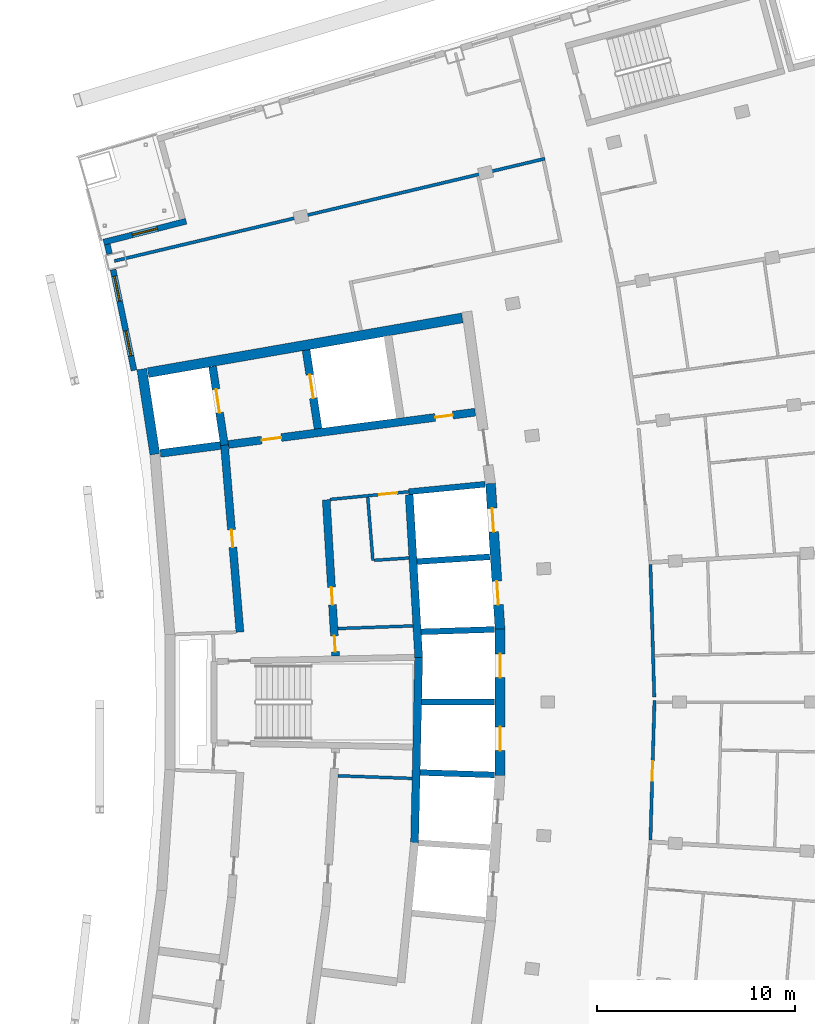
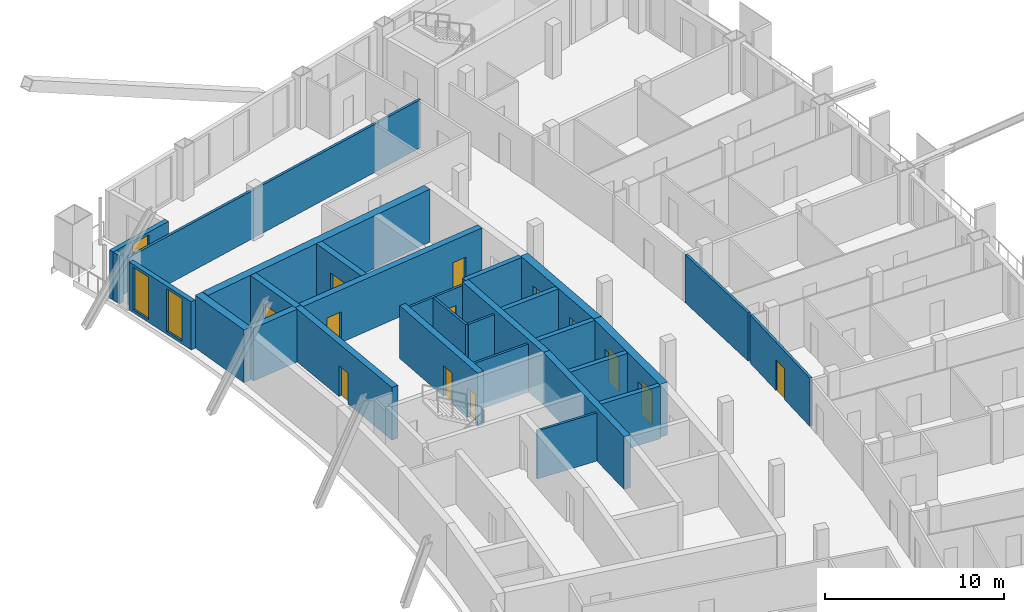
# One storey, part 10 of 17: 28 walls, 13 doors, 3 windows, 16 openings.
"""IFC4 building model written with IfcOpenShell, lengths in metres."""

from ifc_helpers import new_model, si_unit, direction, frame, frame_2d, origin, place, context, subcontext, project, spatial, rectangle, extrude, material, layer, layer_set, type_object, element, fill, save


model = new_model("IFC4")

# Units and contexts
model_context = context("Model", 3, precision=1e-05, world=origin(), true_north=direction((0.0, 1.0)))
body_context = subcontext(model_context, "Body", "Model", "MODEL_VIEW")
ifc_project = project(units=[si_unit("LENGTHUNIT", "METRE"), si_unit("AREAUNIT", "SQUARE_METRE"), si_unit("VOLUMEUNIT", "CUBIC_METRE"), si_unit("PLANEANGLEUNIT", "RADIAN"), si_unit("MASSUNIT", "GRAM", prefix="KILO")], contexts=[model_context])

# Site, building, storey
site_placement = place(None, origin())
site = spatial("IfcSite", under=ifc_project, at=site_placement, CompositionType="ELEMENT")
building_placement = place(site_placement, origin())
building = spatial("IfcBuilding", under=site, at=building_placement, Name="Alderwake Tower", CompositionType="ELEMENT")
storey_placement = place(building_placement, frame((0.0, 0.0, 278.0)))
storey = spatial("IfcBuildingStorey", under=building, at=storey_placement, Name="L69", CompositionType="ELEMENT", Elevation=278.0)

# Walls
ifc_material_1 = material(Name="Gypsum shaft wall system, rated")
ifc_layer_1 = layer(ifc_material_1, 0.14990234375)
ifc_layer_set_1 = layer_set([ifc_layer_1], Name="Core riser partition 150")
wall_type_1 = type_object("IfcWallType", Name="Core riser partition 150", PredefinedType="PARTITIONING", material=ifc_layer_set_1)
wall_1_placement = place(storey_placement, frame((25.1904296875, 57.276611328125, 0.0), z_axis=(0.0, 0.0, 1.0), x_axis=(0.99937350076, -0.035392173974, 0.0)))
element("IfcWall", 1, at=wall_1_placement, inside=storey, type_object=wall_type_1, Name="CW/L69/PR-37_+86", PredefinedType="PARTITIONING", context=body_context, shape_type="SweptSolid", body=[
    extrude(rectangle(XDim=3.752685546875, YDim=0.14990234375, at=frame_2d((1.87646484375, 0.0))), origin(), (0.0, 0.0, 1.0), 3.280029296875),
])
wall_2_placement = place(storey_placement, frame((25.191162109375, 64.723388671875, 0.0), z_axis=(0.0, 0.0, 1.0), x_axis=(0.999373627871, 0.035388584556, 0.0)))
element("IfcWall", 2, at=wall_2_placement, inside=storey, type_object=wall_type_1, Name="CW/L69/PR+37_+86", PredefinedType="PARTITIONING", context=body_context, shape_type="SweptSolid", body=[
    extrude(rectangle(XDim=3.79443359375, YDim=0.14990234375, at=frame_2d((1.897216796875, 0.0))), origin(), (0.0, 0.0, 1.0), 3.280029296875),
])
ifc_material_2 = material(Name="Gypsum shaft wall system, rated")
ifc_layer_2 = layer(ifc_material_2, 0.14990234375)
ifc_layer_set_2 = layer_set([ifc_layer_2], Name="Core room partition 150")
wall_type_2 = type_object("IfcWallType", Name="Core room partition 150", PredefinedType="PARTITIONING", material=ifc_layer_set_2)
wall_3_placement = place(storey_placement, frame((26.9599609375, 68.170654296875, 0.0), z_axis=(0.0, 0.0, 1.0), x_axis=(-0.081803626558, 0.996648466954, 0.0)))
element("IfcWall", 3, at=wall_3_placement, inside=storey, type_object=wall_type_2, Name="CW/L69/PA+107_+70", PredefinedType="PARTITIONING", context=body_context, shape_type="SweptSolid", body=[
    extrude(rectangle(XDim=3.205322265625, YDim=0.14990234375, at=frame_2d((1.6025390625, 0.0))), origin(), (0.0, 0.0, 1.0), 3.280029296875),
])
wall_4_placement = place(storey_placement, frame((27.034912109375, 68.175537109375, 0.0), z_axis=(0.0, 0.0, 1.0), x_axis=(0.997757929195, 0.066926188655, 0.0)))
element("IfcWall", 4, at=wall_4_placement, inside=storey, type_object=wall_type_2, Name="CW/L69/PR+70_+107", PredefinedType="PARTITIONING", context=body_context, shape_type="SweptSolid", body=[
    extrude(rectangle(XDim=1.7509765625, YDim=0.14990234375, at=frame_2d((0.87548828125, 0.0))), origin(), (0.0, 0.0, 1.0), 3.280029296875),
])

# Wall, opening, door
wall_5_placement = place(storey_placement, frame((28.780517578125, 71.644287109375, 0.0), z_axis=(0.0, 0.0, 1.0), x_axis=(-0.995250000627, -0.097352125046, 0.0)))
wall_5 = element("IfcWall", 5, at=wall_5_placement, inside=storey, type_object=wall_type_2, Name="CW/L69/PR+102_+86", PredefinedType="PARTITIONING", context=body_context, shape_type="SweptSolid", body=[
    extrude(rectangle(XDim=4.0, YDim=0.14990234375, at=frame_2d((2.0, 0.0))), origin(), (0.0, 0.0, 1.0), 3.280029296875),
])
opening_1_placement = place(wall_5_placement, frame((0.60009765625, 0.0, 0.0)))
opening_1 = element("IfcOpeningElement", 6, at=opening_1_placement, cuts=wall_5, Name="Opening C022", PredefinedType="OPENING", context=body_context, shape_type="SweptSolid", body=[
    extrude(rectangle(XDim=0.89990234375, YDim=2.10009765625, at=frame_2d((0.449951171875, 1.050048828125))), frame((0.0, 0.0849609375, 0.0), z_axis=(0.0, -1.0, 0.0), x_axis=(1.0, 0.0, 0.0)), (0.0, 0.0, 1.0), 0.169921875),
])
ifc_material_3 = material(Name="Painted steel leaf", Category="steel")
door_type_1 = type_object("IfcDoorType", Name="Core room door 900", OperationType="SINGLE_SWING_LEFT", PredefinedType="DOOR", material=ifc_material_3)
door_1_placement = place(opening_1_placement, origin())
door_1 = element("IfcDoor", 7, at=door_1_placement, inside=storey, type_object=door_type_1, Name="Room door", OperationType="SINGLE_SWING_LEFT", OverallHeight=2.10009765625, OverallWidth=0.89990234375, PredefinedType="DOOR", context=body_context, shape_type="SweptSolid", body=[
    extrude(rectangle(XDim=0.89990234375, YDim=2.10009765625, at=frame_2d((0.449951171875, 1.050048828125))), frame((0.0, 0.02490234375, 0.0), z_axis=(0.0, -1.0, 0.0), x_axis=(1.0, 0.0, 0.0)), (0.0, 0.0, 1.0), 0.050048828125),
])
fill(opening_1, door_1)

# Wall
ifc_material_4 = material(Name="Concrete C70/85", Category="concrete")
ifc_layer_3 = layer(ifc_material_4, 0.5)
ifc_layer_set_3 = layer_set([ifc_layer_3], Name="Core wall outer 500 C70-85")
wall_type_3 = type_object("IfcWallType", Name="Core wall outer 500 C70-85", PredefinedType="SHEAR", material=ifc_layer_set_3)
wall_6_placement = place(storey_placement, frame((15.934326171875, 73.5380859375, 0.0), z_axis=(0.0, 0.0, 1.0), x_axis=(-0.151947718368, 0.988388532351, 0.0)))
element("IfcWall", 8, at=wall_6_placement, inside=storey, type_object=wall_type_3, Name="Core wall CW.025", PredefinedType="SHEAR", context=body_context, shape_type="SweptSolid", body=[
    extrude(rectangle(XDim=4.357421875, YDim=0.5, at=frame_2d((2.1787109375, 0.0))), origin(), (0.0, 0.0, 1.0), 3.60009765625),
])

# Wall, openings, doors
wall_7_placement = place(storey_placement, frame((33.389892578125, 57.30322265625, 0.0), z_axis=(0.0, 0.0, 1.0), x_axis=(0.0, 1.0, 0.0)))
wall_7 = element("IfcWall", 9, at=wall_7_placement, inside=storey, type_object=wall_type_3, Name="Core wall CW.023", PredefinedType="SHEAR", context=body_context, shape_type="SweptSolid", body=[
    extrude(rectangle(XDim=7.3935546875, YDim=0.5, at=frame_2d((3.69677734375, 0.0))), origin(), (0.0, 0.0, 1.0), 3.60009765625),
])
opening_2_placement = place(wall_7_placement, frame((1.25244140625, 0.0, 0.0)))
opening_2 = element("IfcOpeningElement", 10, at=opening_2_placement, cuts=wall_7, Name="Opening LD-HP3", PredefinedType="OPENING", context=body_context, shape_type="SweptSolid", body=[
    extrude(rectangle(XDim=1.199951171875, YDim=2.300048828125, at=frame_2d((0.60009765625, 1.14990234375))), frame((0.0, 0.260009765625, 0.0), z_axis=(0.0, -1.0, 0.0), x_axis=(1.0, 0.0, 0.0)), (0.0, 0.0, 1.0), 0.52001953125),
])
opening_3_placement = place(wall_7_placement, frame((4.94091796875, 0.0, 0.0)))
opening_3 = element("IfcOpeningElement", 11, at=opening_3_placement, cuts=wall_7, Name="Opening LD-HP4", PredefinedType="OPENING", context=body_context, shape_type="SweptSolid", body=[
    extrude(rectangle(XDim=1.199951171875, YDim=2.300048828125, at=frame_2d((0.60009765625, 1.14990234375))), frame((0.0, 0.260009765625, 0.0), z_axis=(0.0, -1.0, 0.0), x_axis=(1.0, 0.0, 0.0)), (0.0, 0.0, 1.0), 0.52001953125),
])
ifc_material_5 = material(Name="Stainless steel sliding leaf", Category="steel")
door_type_2 = type_object("IfcDoorType", Name="Lift landing door 1200", OperationType="SLIDING_TO_LEFT", PredefinedType="DOOR", material=ifc_material_5)
door_2_placement = place(opening_2_placement, origin())
door_2 = element("IfcDoor", 12, at=door_2_placement, inside=storey, type_object=door_type_2, Name="Lift landing door HP3", OperationType="SLIDING_TO_LEFT", OverallHeight=2.300048828125, OverallWidth=1.199951171875, PredefinedType="DOOR", context=body_context, shape_type="SweptSolid", body=[
    extrude(rectangle(XDim=1.199951171875, YDim=2.300048828125, at=frame_2d((0.60009765625, 1.14990234375))), frame((0.0, 0.02490234375, 0.0), z_axis=(0.0, -1.0, 0.0), x_axis=(1.0, 0.0, 0.0)), (0.0, 0.0, 1.0), 0.050048828125),
])
fill(opening_2, door_2)
door_3_placement = place(opening_3_placement, origin())
door_3 = element("IfcDoor", 13, at=door_3_placement, inside=storey, type_object=door_type_2, Name="Lift landing door HP4", OperationType="SLIDING_TO_LEFT", OverallHeight=2.300048828125, OverallWidth=1.199951171875, PredefinedType="DOOR", context=body_context, shape_type="SweptSolid", body=[
    extrude(rectangle(XDim=1.199951171875, YDim=2.300048828125, at=frame_2d((0.60009765625, 1.14990234375))), frame((0.0, 0.02490234375, 0.0), z_axis=(0.0, -1.0, 0.0), x_axis=(1.0, 0.0, 0.0)), (0.0, 0.0, 1.0), 0.050048828125),
])
fill(opening_3, door_3)

wall_8_placement = place(storey_placement, frame((33.390625, 64.679443359375, 0.0), z_axis=(0.0, 0.0, 1.0), x_axis=(-0.064980500916, 0.997886533881, 0.0)))
wall_8 = element("IfcWall", 14, at=wall_8_placement, inside=storey, type_object=wall_type_3, Name="Core wall CW.020", PredefinedType="SHEAR", context=body_context, shape_type="SweptSolid", body=[
    extrude(rectangle(XDim=7.39404296875, YDim=0.5, at=frame_2d((3.697021484375, 0.0))), origin(), (0.0, 0.0, 1.0), 3.60009765625),
])
opening_4_placement = place(wall_8_placement, frame((1.25244140625, 0.0, 0.0)))
opening_4 = element("IfcOpeningElement", 15, at=opening_4_placement, cuts=wall_8, Name="Opening LD-HP5", PredefinedType="OPENING", context=body_context, shape_type="SweptSolid", body=[
    extrude(rectangle(XDim=1.199951171875, YDim=2.300048828125, at=frame_2d((0.60009765625, 1.14990234375))), frame((0.0, 0.260009765625, 0.0), z_axis=(0.0, -1.0, 0.0), x_axis=(1.0, 0.0, 0.0)), (0.0, 0.0, 1.0), 0.52001953125),
])
opening_5_placement = place(wall_8_placement, frame((4.94091796875, 0.0, 0.0)))
opening_5 = element("IfcOpeningElement", 16, at=opening_5_placement, cuts=wall_8, Name="Opening LD-HP6", PredefinedType="OPENING", context=body_context, shape_type="SweptSolid", body=[
    extrude(rectangle(XDim=1.199951171875, YDim=2.300048828125, at=frame_2d((0.60009765625, 1.14990234375))), frame((0.0, 0.260009765625, 0.0), z_axis=(0.0, -1.0, 0.0), x_axis=(1.0, 0.0, 0.0)), (0.0, 0.0, 1.0), 0.52001953125),
])
door_4_placement = place(opening_4_placement, origin())
door_4 = element("IfcDoor", 17, at=door_4_placement, inside=storey, type_object=door_type_2, Name="Lift landing door HP5", OperationType="SLIDING_TO_LEFT", OverallHeight=2.300048828125, OverallWidth=1.199951171875, PredefinedType="DOOR", context=body_context, shape_type="SweptSolid", body=[
    extrude(rectangle(XDim=1.199951171875, YDim=2.300048828125, at=frame_2d((0.60009765625, 1.14990234375))), frame((0.0, 0.02490234375, 0.0), z_axis=(0.0, -1.0, 0.0), x_axis=(1.0, 0.0, 0.0)), (0.0, 0.0, 1.0), 0.050048828125),
])
fill(opening_4, door_4)
door_5_placement = place(opening_5_placement, origin())
door_5 = element("IfcDoor", 18, at=door_5_placement, inside=storey, type_object=door_type_2, Name="Lift landing door HP6", OperationType="SLIDING_TO_LEFT", OverallHeight=2.300048828125, OverallWidth=1.199951171875, PredefinedType="DOOR", context=body_context, shape_type="SweptSolid", body=[
    extrude(rectangle(XDim=1.199951171875, YDim=2.300048828125, at=frame_2d((0.60009765625, 1.14990234375))), frame((0.0, 0.02490234375, 0.0), z_axis=(0.0, -1.0, 0.0), x_axis=(1.0, 0.0, 0.0)), (0.0, 0.0, 1.0), 0.050048828125),
])
fill(opening_5, door_5)

# Walls
wall_9_placement = place(storey_placement, frame((15.583251953125, 77.664306640625, 0.0), z_axis=(0.0, 0.0, 1.0), x_axis=(0.985139146221, 0.171758151429, 0.0)))
element("IfcWall", 19, at=wall_9_placement, inside=storey, type_object=wall_type_3, Name="Core wall CW.055", PredefinedType="SHEAR", context=body_context, shape_type="SweptSolid", body=[
    extrude(rectangle(XDim=16.134521484375, YDim=0.5, at=frame_2d((8.0673828125, 0.0))), origin(), (0.0, 0.0, 1.0), 3.60009765625),
])
ifc_material_6 = material(Name="Concrete C70/85", Category="concrete")
ifc_layer_4 = layer(ifc_material_6, 0.300048828125)
ifc_layer_set_4 = layer_set([ifc_layer_4], Name="Core wall shaft 300 C70-85")
wall_type_4 = type_object("IfcWallType", Name="Core wall shaft 300 C70-85", PredefinedType="SHEAR", material=ifc_layer_set_4)
wall_10_placement = place(storey_placement, frame((29.347412109375, 57.443603515625, 0.0), z_axis=(0.0, 0.0, 1.0), x_axis=(0.99946995342, -0.032554757112, 0.0)))
element("IfcWall", 20, at=wall_10_placement, inside=storey, type_object=wall_type_4, Name="Core wall CW.075", PredefinedType="SHEAR", context=body_context, shape_type="SweptSolid", body=[
    extrude(rectangle(XDim=3.7646484375, YDim=0.300048828125, at=frame_2d((1.88232421875, 0.0))), origin(), (0.0, 0.0, 1.0), 3.60009765625),
])
wall_11_placement = place(storey_placement, frame((29.426025390625, 61.0, 0.0), z_axis=(0.0, 0.0, 1.0), x_axis=(1.0, 0.0, 0.0)))
element("IfcWall", 21, at=wall_11_placement, inside=storey, type_object=wall_type_4, Name="Core wall CW.048", PredefinedType="SHEAR", context=body_context, shape_type="SweptSolid", body=[
    extrude(rectangle(XDim=3.68408203125, YDim=0.300048828125, at=frame_2d((1.842041015625, 0.0))), origin(), (0.0, 0.0, 1.0), 3.60009765625),
])
wall_12_placement = place(storey_placement, frame((29.401611328125, 64.558349609375, 0.0), z_axis=(0.0, 0.0, 1.0), x_axis=(0.99947159852, 0.032504211301, 0.0)))
element("IfcWall", 22, at=wall_12_placement, inside=storey, type_object=wall_type_4, Name="Core wall CW.058", PredefinedType="SHEAR", context=body_context, shape_type="SweptSolid", body=[
    extrude(rectangle(XDim=3.71044921875, YDim=0.300048828125, at=frame_2d((1.855224609375, 0.0))), origin(), (0.0, 0.0, 1.0), 3.60009765625),
])
wall_13_placement = place(storey_placement, frame((29.193603515625, 68.110595703125, 0.0), z_axis=(0.0, 0.0, 1.0), x_axis=(0.997885994006, 0.064988791085, 0.0)))
element("IfcWall", 23, at=wall_13_placement, inside=storey, type_object=wall_type_4, Name="Core wall CW.061", PredefinedType="SHEAR", context=body_context, shape_type="SweptSolid", body=[
    extrude(rectangle(XDim=3.685302734375, YDim=0.300048828125, at=frame_2d((1.8427734375, 0.0))), origin(), (0.0, 0.0, 1.0), 3.60009765625),
])
wall_14_placement = place(storey_placement, frame((28.780517578125, 71.644287109375, 0.0), z_axis=(0.0, 0.0, 1.0), x_axis=(0.995244248631, 0.097410910928, 0.0)))
element("IfcWall", 24, at=wall_14_placement, inside=storey, type_object=wall_type_4, Name="Core wall CW.049", PredefinedType="SHEAR", context=body_context, shape_type="SweptSolid", body=[
    extrude(rectangle(XDim=3.86962890625, YDim=0.300048828125, at=frame_2d((1.934814453125, 0.0))), origin(), (0.0, 0.0, 1.0), 3.60009765625),
])

# Wall, opening, door
ifc_material_7 = material(Name="Concrete C70/85", Category="concrete")
ifc_layer_5 = layer(ifc_material_7, 0.39990234375)
ifc_layer_set_5 = layer_set([ifc_layer_5], Name="Core wall spine 400 C70-85")
wall_type_5 = type_object("IfcWallType", Name="Core wall spine 400 C70-85", PredefinedType="SHEAR", material=ifc_layer_set_5)
wall_15_placement = place(storey_placement, frame((19.452392578125, 74.014892578125, 0.0), z_axis=(0.0, 0.0, 1.0), x_axis=(0.082628585297, -0.996580411654, 0.0)))
wall_15 = element("IfcWall", 25, at=wall_15_placement, inside=storey, type_object=wall_type_5, Name="Core wall CW.031", PredefinedType="SHEAR", context=body_context, shape_type="SweptSolid", body=[
    extrude(rectangle(XDim=9.499267578125, YDim=0.39990234375, at=frame_2d((4.74951171875, 0.0))), origin(), (0.0, 0.0, 1.0), 3.60009765625),
])
opening_6_placement = place(wall_15_placement, frame((4.30322265625, 0.0, 0.0)))
opening_6 = element("IfcOpeningElement", 26, at=opening_6_placement, cuts=wall_15, Name="Opening C051", PredefinedType="OPENING", context=body_context, shape_type="SweptSolid", body=[
    extrude(rectangle(XDim=0.89990234375, YDim=2.10009765625, at=frame_2d((0.449951171875, 1.050048828125))), frame((0.0, 0.2099609375, 0.0), z_axis=(0.0, -1.0, 0.0), x_axis=(1.0, 0.0, 0.0)), (0.0, 0.0, 1.0), 0.419921875),
])
door_6_placement = place(opening_6_placement, origin())
door_6 = element("IfcDoor", 27, at=door_6_placement, inside=storey, type_object=door_type_1, Name="Room door", OperationType="SINGLE_SWING_RIGHT", OverallHeight=2.10009765625, OverallWidth=0.89990234375, PredefinedType="DOOR", context=body_context, shape_type="SweptSolid", body=[
    extrude(rectangle(XDim=0.89990234375, YDim=2.10009765625, at=frame_2d((0.449951171875, 1.050048828125))), frame((0.0, 0.02490234375, 0.0), z_axis=(0.0, -1.0, 0.0), x_axis=(1.0, 0.0, 0.0)), (0.0, 0.0, 1.0), 0.050048828125),
])
fill(opening_6, door_6)

wall_16_placement = place(storey_placement, frame((19.4541015625, 74.00048828125, 0.0), z_axis=(0.0, 0.0, 1.0), x_axis=(-0.149461330246, 0.988767571657, 0.0)))
wall_16 = element("IfcWall", 28, at=wall_16_placement, inside=storey, type_object=wall_type_5, Name="Core wall CW.030", PredefinedType="SHEAR", context=body_context, shape_type="SweptSolid", body=[
    extrude(rectangle(XDim=4.01513671875, YDim=0.39990234375, at=frame_2d((2.007568359375, 0.0))), origin(), (0.0, 0.0, 1.0), 3.60009765625),
])
opening_7_placement = place(wall_16_placement, frame((1.6611328125, 0.0, 0.0)))
opening_7 = element("IfcOpeningElement", 29, at=opening_7_placement, cuts=wall_16, Name="Opening LD-FF1", PredefinedType="OPENING", context=body_context, shape_type="SweptSolid", body=[
    extrude(rectangle(XDim=1.199951171875, YDim=2.300048828125, at=frame_2d((0.60009765625, 1.14990234375))), frame((0.0, 0.2099609375, 0.0), z_axis=(0.0, -1.0, 0.0), x_axis=(1.0, 0.0, 0.0)), (0.0, 0.0, 1.0), 0.419921875),
])
door_7_placement = place(opening_7_placement, origin())
door_7 = element("IfcDoor", 30, at=door_7_placement, inside=storey, type_object=door_type_2, Name="Lift landing door FF1", OperationType="SLIDING_TO_LEFT", OverallHeight=2.300048828125, OverallWidth=1.199951171875, PredefinedType="DOOR", context=body_context, shape_type="SweptSolid", body=[
    extrude(rectangle(XDim=1.199951171875, YDim=2.300048828125, at=frame_2d((0.60009765625, 1.14990234375))), frame((0.0, 0.02490234375, 0.0), z_axis=(0.0, -1.0, 0.0), x_axis=(1.0, 0.0, 0.0)), (0.0, 0.0, 1.0), 0.050048828125),
])
fill(opening_7, door_7)

# Wall, openings, doors
wall_17_placement = place(storey_placement, frame((25.073974609375, 63.335693359375, 0.0), z_axis=(0.0, 0.0, 1.0), x_axis=(-0.059848641072, 0.998207463487, 0.0)))
wall_17 = element("IfcWall", 31, at=wall_17_placement, inside=storey, type_object=wall_type_5, Name="Core wall CW.045", PredefinedType="SHEAR", context=body_context, shape_type="SweptSolid", body=[
    extrude(rectangle(XDim=7.913818359375, YDim=0.39990234375, at=frame_2d((3.95703125, 0.0))), origin(), (0.0, 0.0, 1.0), 3.60009765625),
])
opening_8_placement = place(wall_17_placement, frame((0.216064453125, 0.0, 0.0)))
opening_8 = element("IfcOpeningElement", 32, at=opening_8_placement, cuts=wall_17, Name="Opening C005", PredefinedType="OPENING", context=body_context, shape_type="SweptSolid", body=[
    extrude(rectangle(XDim=0.800048828125, YDim=2.0, at=frame_2d((0.39990234375, 1.0))), frame((0.0, 0.2099609375, 0.0), z_axis=(0.0, -1.0, 0.0), x_axis=(1.0, 0.0, 0.0)), (0.0, 0.0, 1.0), 0.419921875),
])
opening_9_placement = place(wall_17_placement, frame((2.590087890625, 0.0, 0.0)))
opening_9 = element("IfcOpeningElement", 33, at=opening_9_placement, cuts=wall_17, Name="Opening C058", PredefinedType="OPENING", context=body_context, shape_type="SweptSolid", body=[
    extrude(rectangle(XDim=0.89990234375, YDim=2.10009765625, at=frame_2d((0.449951171875, 1.050048828125))), frame((0.0, 0.2099609375, 0.0), z_axis=(0.0, -1.0, 0.0), x_axis=(1.0, 0.0, 0.0)), (0.0, 0.0, 1.0), 0.419921875),
])
door_8_placement = place(opening_9_placement, origin())
door_8 = element("IfcDoor", 34, at=door_8_placement, inside=storey, type_object=door_type_1, Name="Room door", OperationType="SINGLE_SWING_LEFT", OverallHeight=2.10009765625, OverallWidth=0.89990234375, PredefinedType="DOOR", context=body_context, shape_type="SweptSolid", body=[
    extrude(rectangle(XDim=0.89990234375, YDim=2.10009765625, at=frame_2d((0.449951171875, 1.050048828125))), frame((0.0, 0.02490234375, 0.0), z_axis=(0.0, -1.0, 0.0), x_axis=(1.0, 0.0, 0.0)), (0.0, 0.0, 1.0), 0.050048828125),
])
fill(opening_9, door_8)
ifc_material_8 = material(Name="Painted steel leaf, rated", Category="steel")
door_type_3 = type_object("IfcDoorType", Name="Riser access door 800", OperationType="SINGLE_SWING_LEFT", PredefinedType="DOOR", material=ifc_material_8)
door_9_placement = place(opening_8_placement, origin())
door_9 = element("IfcDoor", 35, at=door_9_placement, inside=storey, type_object=door_type_3, Name="Riser access door", OperationType="SINGLE_SWING_LEFT", OverallHeight=2.0, OverallWidth=0.800048828125, PredefinedType="DOOR", context=body_context, shape_type="SweptSolid", body=[
    extrude(rectangle(XDim=0.800048828125, YDim=2.0, at=frame_2d((0.39990234375, 1.0))), frame((0.0, 0.02490234375, 0.0), z_axis=(0.0, -1.0, 0.0), x_axis=(1.0, 0.0, 0.0)), (0.0, 0.0, 1.0), 0.050048828125),
])
fill(opening_8, door_9)

# Wall, opening, door
wall_18_placement = place(storey_placement, frame((24.186279296875, 74.82861328125, 0.0), z_axis=(0.0, 0.0, 1.0), x_axis=(-0.150547717109, 0.988602743711, 0.0)))
wall_18 = element("IfcWall", 36, at=wall_18_placement, inside=storey, type_object=wall_type_5, Name="Core wall CW.044", PredefinedType="SHEAR", context=body_context, shape_type="SweptSolid", body=[
    extrude(rectangle(XDim=4.0234375, YDim=0.39990234375, at=frame_2d((2.01171875, 0.0))), origin(), (0.0, 0.0, 1.0), 3.60009765625),
])
opening_10_placement = place(wall_18_placement, frame((1.561767578125, 0.0, 0.0)))
opening_10 = element("IfcOpeningElement", 37, at=opening_10_placement, cuts=wall_18, Name="Opening LD-FF2", PredefinedType="OPENING", context=body_context, shape_type="SweptSolid", body=[
    extrude(rectangle(XDim=1.199951171875, YDim=2.300048828125, at=frame_2d((0.60009765625, 1.14990234375))), frame((0.0, 0.2099609375, 0.0), z_axis=(0.0, -1.0, 0.0), x_axis=(1.0, 0.0, 0.0)), (0.0, 0.0, 1.0), 0.419921875),
])
door_10_placement = place(opening_10_placement, origin())
door_10 = element("IfcDoor", 38, at=door_10_placement, inside=storey, type_object=door_type_2, Name="Lift landing door FF2", OperationType="SLIDING_TO_LEFT", OverallHeight=2.300048828125, OverallWidth=1.199951171875, PredefinedType="DOOR", context=body_context, shape_type="SweptSolid", body=[
    extrude(rectangle(XDim=1.199951171875, YDim=2.300048828125, at=frame_2d((0.60009765625, 1.14990234375))), frame((0.0, 0.02490234375, 0.0), z_axis=(0.0, -1.0, 0.0), x_axis=(1.0, 0.0, 0.0)), (0.0, 0.0, 1.0), 0.050048828125),
])
fill(opening_10, door_10)

# Walls
wall_19_placement = place(storey_placement, frame((29.06884765625, 53.889404296875, 0.0), z_axis=(0.0, 0.0, 1.0), x_axis=(0.022115148322, 0.9997554302, 0.0)))
element("IfcWall", 39, at=wall_19_placement, inside=storey, type_object=wall_type_5, Name="Core wall CW.008", PredefinedType="SHEAR", context=body_context, shape_type="SweptSolid", body=[
    extrude(rectangle(XDim=9.39453125, YDim=0.39990234375, at=frame_2d((4.697265625, 0.0))), origin(), (0.0, 0.0, 1.0), 3.60009765625),
])
wall_20_placement = place(storey_placement, frame((29.27685546875, 63.2646484375, 0.0), z_axis=(0.0, 0.0, 1.0), x_axis=(-0.0584546922, 0.998290062537, 0.0)))
element("IfcWall", 40, at=wall_20_placement, inside=storey, type_object=wall_type_5, Name="Core wall CW.002", PredefinedType="SHEAR", context=body_context, shape_type="SweptSolid", body=[
    extrude(rectangle(XDim=8.24462890625, YDim=0.39990234375, at=frame_2d((4.122314453125, 0.0))), origin(), (0.0, 0.0, 1.0), 3.60009765625),
])
wall_21_placement = place(storey_placement, frame((16.210693359375, 73.583740234375, 0.0), z_axis=(0.0, 0.0, 1.0), x_axis=(0.991560893257, 0.129641794819, 0.0)))
element("IfcWall", 41, at=wall_21_placement, inside=storey, type_object=wall_type_5, Name="Core wall CW.051", PredefinedType="SHEAR", context=body_context, shape_type="SweptSolid", body=[
    extrude(rectangle(XDim=3.069580078125, YDim=0.39990234375, at=frame_2d((1.53466796875, 0.0))), origin(), (0.0, 0.0, 1.0), 3.60009765625),
])

# Wall, openings, doors
wall_22_placement = place(storey_placement, frame((32.132080078125, 75.666015625, 0.0), z_axis=(0.0, 0.0, 1.0), x_axis=(-0.991555139901, -0.129685791576, 0.0)))
wall_22 = element("IfcWall", 42, at=wall_22_placement, inside=storey, type_object=wall_type_5, Name="Core wall CW.052", PredefinedType="SHEAR", context=body_context, shape_type="SweptSolid", body=[
    extrude(rectangle(XDim=12.586669921875, YDim=0.39990234375, at=frame_2d((6.29345703125, 0.0))), origin(), (0.0, 0.0, 1.0), 3.60009765625),
])
opening_11_placement = place(wall_22_placement, frame((9.88720703125, 0.0, 0.0)))
opening_11 = element("IfcOpeningElement", 43, at=opening_11_placement, cuts=wall_22, Name="Opening C002", PredefinedType="OPENING", context=body_context, shape_type="SweptSolid", body=[
    extrude(rectangle(XDim=1.0, YDim=2.10009765625, at=frame_2d((0.5, 1.050048828125))), frame((0.0, 0.2099609375, 0.0), z_axis=(0.0, -1.0, 0.0), x_axis=(1.0, 0.0, 0.0)), (0.0, 0.0, 1.0), 0.419921875),
])
opening_12_placement = place(wall_22_placement, frame((1.13720703125, 0.0, 0.0)))
opening_12 = element("IfcOpeningElement", 44, at=opening_12_placement, cuts=wall_22, Name="Opening C020", PredefinedType="OPENING", context=body_context, shape_type="SweptSolid", body=[
    extrude(rectangle(XDim=0.89990234375, YDim=2.10009765625, at=frame_2d((0.449951171875, 1.050048828125))), frame((0.0, 0.2099609375, 0.0), z_axis=(0.0, -1.0, 0.0), x_axis=(1.0, 0.0, 0.0)), (0.0, 0.0, 1.0), 0.419921875),
])
door_11_placement = place(opening_12_placement, origin())
door_11 = element("IfcDoor", 45, at=door_11_placement, inside=storey, type_object=door_type_1, Name="Room door", OperationType="SINGLE_SWING_RIGHT", OverallHeight=2.10009765625, OverallWidth=0.89990234375, PredefinedType="DOOR", context=body_context, shape_type="SweptSolid", body=[
    extrude(rectangle(XDim=0.89990234375, YDim=2.10009765625, at=frame_2d((0.449951171875, 1.050048828125))), frame((0.0, 0.02490234375, 0.0), z_axis=(0.0, -1.0, 0.0), x_axis=(1.0, 0.0, 0.0)), (0.0, 0.0, 1.0), 0.050048828125),
])
fill(opening_12, door_11)
ifc_material_9 = material(Name="Steel-framed fire door leaf", Category="steel")
door_type_4 = type_object("IfcDoorType", Name="Firefighting lobby door 1000 fire-rated", OperationType="SINGLE_SWING_LEFT", PredefinedType="DOOR", material=ifc_material_9)
door_12_placement = place(opening_11_placement, origin())
door_12 = element("IfcDoor", 46, at=door_12_placement, inside=storey, type_object=door_type_4, Name="Firefighting lobby door", OperationType="SINGLE_SWING_RIGHT", OverallHeight=2.10009765625, OverallWidth=1.0, PredefinedType="DOOR", context=body_context, shape_type="SweptSolid", body=[
    extrude(rectangle(XDim=1.0, YDim=2.10009765625, at=frame_2d((0.5, 1.050048828125))), frame((0.0, 0.02490234375, 0.0), z_axis=(0.0, -1.0, 0.0), x_axis=(1.0, 0.0, 0.0)), (0.0, 0.0, 1.0), 0.050048828125),
])
fill(opening_11, door_12)

# Wall
ifc_material_10 = material(Name="Gypsum board on metal studs, rated")
ifc_layer_6 = layer(ifc_material_10, 0.159912109375)
ifc_layer_set_6 = layer_set([ifc_layer_6], Name="Corridor wall 160")
wall_type_6 = type_object("IfcWallType", Name="Corridor wall 160", PredefinedType="PARTITIONING", material=ifc_layer_set_6)
wall_23_placement = place(storey_placement, frame((13.884033203125, 83.31298828125, 0.0), z_axis=(0.0, 0.0, 1.0), x_axis=(0.972893462073, 0.231253781493, 0.0)))
element("IfcWall", 47, at=wall_23_placement, inside=storey, type_object=wall_type_6, Name="WL/L69/W09", PredefinedType="PARTITIONING", context=body_context, shape_type="SweptSolid", body=[
    extrude(rectangle(XDim=22.38037109375, YDim=0.159912109375, at=frame_2d((11.190185546875, 0.0))), origin(), (0.0, 0.0, 1.0), 3.280029296875),
])

# Wall, opening, door
wall_24_placement = place(storey_placement, frame((41.201416015625, 61.0791015625, 0.0), z_axis=(0.0, 0.0, 1.0), x_axis=(-0.028889070526, -0.999582623701, 0.0)))
wall_24 = element("IfcWall", 48, at=wall_24_placement, inside=storey, type_object=wall_type_6, Name="WL/L69/W23", PredefinedType="PARTITIONING", context=body_context, shape_type="SweptSolid", body=[
    extrude(rectangle(XDim=7.048095703125, YDim=0.159912109375, at=frame_2d((3.52392578125, 0.0))), origin(), (0.0, 0.0, 1.0), 3.280029296875),
])
opening_13_placement = place(wall_24_placement, frame((3.0634765625, 0.0, 0.0)))
opening_13 = element("IfcOpeningElement", 49, at=opening_13_placement, cuts=wall_24, Name="Opening R20-U05.1", PredefinedType="OPENING", context=body_context, shape_type="SweptSolid", body=[
    extrude(rectangle(XDim=1.0, YDim=2.10009765625, at=frame_2d((0.5, 1.050048828125))), frame((0.0, 0.08984375, 0.0), z_axis=(0.0, -1.0, 0.0), x_axis=(1.0, 0.0, 0.0)), (0.0, 0.0, 1.0), 0.179931640625),
])
ifc_material_11 = material(Name="Solid timber leaf in steel frame", Category="steel")
door_type_5 = type_object("IfcDoorType", Name="Flat entrance door 1000 fire-rated", OperationType="SINGLE_SWING_LEFT", PredefinedType="DOOR", material=ifc_material_11)
door_13_placement = place(opening_13_placement, origin())
door_13 = element("IfcDoor", 50, at=door_13_placement, inside=storey, type_object=door_type_5, Name="DR/L69/U05.1", OperationType="SINGLE_SWING_LEFT", OverallHeight=2.10009765625, OverallWidth=1.0, PredefinedType="DOOR", context=body_context, shape_type="SweptSolid", body=[
    extrude(rectangle(XDim=1.0, YDim=2.10009765625, at=frame_2d((0.5, 1.050048828125))), frame((0.0, 0.02490234375, 0.0), z_axis=(0.0, -1.0, 0.0), x_axis=(1.0, 0.0, 0.0)), (0.0, 0.0, 1.0), 0.050048828125),
])
fill(opening_13, door_13)

# Walls
wall_25_placement = place(storey_placement, frame((40.997802734375, 67.967041015625, 0.0), z_axis=(0.0, 0.0, 1.0), x_axis=(0.0288778927, -0.99958294669, 0.0)))
element("IfcWall", 51, at=wall_25_placement, inside=storey, type_object=wall_type_6, Name="WL/L69/W25", PredefinedType="PARTITIONING", context=body_context, shape_type="SweptSolid", body=[
    extrude(rectangle(XDim=6.7041015625, YDim=0.159912109375, at=frame_2d((3.35205078125, 0.0))), origin(), (0.0, 0.0, 1.0), 3.280029296875),
])
ifc_material_12 = material(Name="Precast concrete C50/60 spandrel panel", Category="concrete")
ifc_layer_7 = layer(ifc_material_12, 0.300048828125)
ifc_layer_set_7 = layer_set([ifc_layer_7], Name="External wall EW1 Precast concrete C50/60 spandrel")
wall_type_7 = type_object("IfcWallType", Name="External wall EW1 Precast concrete C50/60 spandrel", PredefinedType="SOLIDWALL", material=ifc_layer_set_7)
wall_26_placement = place(storey_placement, frame((13.523193359375, 84.1572265625, 0.0), z_axis=(0.0, 0.0, 1.0), x_axis=(0.238653145818, -0.971104873838, 0.0)))
element("IfcWall", 52, at=wall_26_placement, inside=storey, type_object=wall_type_7, Name="External wall 30", PredefinedType="SOLIDWALL", context=body_context, shape_type="SweptSolid", body=[
    extrude(rectangle(XDim=0.50341796875, YDim=0.300048828125, at=frame_2d((0.251708984375, 0.0))), origin(), (0.0, 0.0, 1.0), 3.280029296875),
])

# Wall, openings, windows
wall_27_placement = place(storey_placement, frame((13.821533203125, 82.879638671875, 0.0), z_axis=(0.0, 0.0, 1.0), x_axis=(0.202760516883, -0.979228355795, 0.0)))
wall_27 = element("IfcWall", 53, at=wall_27_placement, inside=storey, type_object=wall_type_7, Name="External wall 31", PredefinedType="SOLIDWALL", context=body_context, shape_type="SweptSolid", body=[
    extrude(rectangle(XDim=5.211181640625, YDim=0.300048828125, at=frame_2d((2.60546875, 0.0))), origin(), (0.0, 0.0, 1.0), 3.280029296875),
])
opening_14_placement = place(wall_27_placement, frame((0.342041015625, 0.0, 0.199951171875)))
opening_14 = element("IfcOpeningElement", 54, at=opening_14_placement, cuts=wall_27, Name="Opening W1", PredefinedType="OPENING", context=body_context, shape_type="SweptSolid", body=[
    extrude(rectangle(XDim=1.300048828125, YDim=2.89990234375, at=frame_2d((0.64990234375, 1.449951171875))), frame((0.0, 0.159912109375, 0.0), z_axis=(0.0, -1.0, 0.0), x_axis=(1.0, 0.0, 0.0)), (0.0, 0.0, 1.0), 0.320068359375),
])
opening_15_placement = place(wall_27_placement, frame((3.15478515625, 0.0, 0.199951171875)))
opening_15 = element("IfcOpeningElement", 55, at=opening_15_placement, cuts=wall_27, Name="Opening W1", PredefinedType="OPENING", context=body_context, shape_type="SweptSolid", body=[
    extrude(rectangle(XDim=1.300048828125, YDim=2.89990234375, at=frame_2d((0.64990234375, 1.449951171875))), frame((0.0, 0.159912109375, 0.0), z_axis=(0.0, -1.0, 0.0), x_axis=(1.0, 0.0, 0.0)), (0.0, 0.0, 1.0), 0.320068359375),
])
ifc_material_13 = material(Name="Bronze tinted glass in aluminium frame", Category="aluminium")
window_type = type_object("IfcWindowType", Name="Window W1 tall fixed and vent", PartitioningType="DOUBLE_PANEL_VERTICAL", PredefinedType="WINDOW", material=ifc_material_13)
window_1_placement = place(opening_14_placement, origin())
window_1 = element("IfcWindow", 56, at=window_1_placement, inside=storey, type_object=window_type, Name="Window W1 tall fixed and vent", OverallHeight=2.89990234375, OverallWidth=1.300048828125, PartitioningType="DOUBLE_PANEL_VERTICAL", PredefinedType="WINDOW", context=body_context, shape_type="SweptSolid", body=[
    extrude(rectangle(XDim=1.300048828125, YDim=2.89990234375, at=frame_2d((0.64990234375, 1.449951171875))), frame((0.0, 0.030029296875, 0.0), z_axis=(0.0, -1.0, 0.0), x_axis=(1.0, 0.0, 0.0)), (0.0, 0.0, 1.0), 0.06005859375),
])
fill(opening_14, window_1)
window_2_placement = place(opening_15_placement, origin())
window_2 = element("IfcWindow", 57, at=window_2_placement, inside=storey, type_object=window_type, Name="Window W1 tall fixed and vent", OverallHeight=2.89990234375, OverallWidth=1.300048828125, PartitioningType="DOUBLE_PANEL_VERTICAL", PredefinedType="WINDOW", context=body_context, shape_type="SweptSolid", body=[
    extrude(rectangle(XDim=1.300048828125, YDim=2.89990234375, at=frame_2d((0.64990234375, 1.449951171875))), frame((0.0, 0.030029296875, 0.0), z_axis=(0.0, -1.0, 0.0), x_axis=(1.0, 0.0, 0.0)), (0.0, 0.0, 1.0), 0.06005859375),
])
fill(opening_15, window_2)

# Wall, opening, window
ifc_material_14 = material(Name="Bronze metal cladding on lightweight framing")
ifc_layer_8 = layer(ifc_material_14, 0.300048828125)
ifc_layer_set_8 = layer_set([ifc_layer_8], Name="External wall EW2 bronze metal cladding")
wall_type_8 = type_object("IfcWallType", Name="External wall EW2 bronze metal cladding", PredefinedType="SOLIDWALL", material=ifc_layer_set_8)
wall_28_placement = place(storey_placement, frame((17.51611328125, 85.32275390625, 0.0), z_axis=(0.0, 0.0, 1.0), x_axis=(-0.969417740682, -0.245416470617, 0.0)))
wall_28 = element("IfcWall", 58, at=wall_28_placement, inside=storey, type_object=wall_type_8, Name="External wall 29", PredefinedType="SOLIDWALL", context=body_context, shape_type="SweptSolid", body=[
    extrude(rectangle(XDim=4.305419921875, YDim=0.300048828125, at=frame_2d((2.15283203125, 0.0))), origin(), (0.0, 0.0, 1.0), 3.280029296875),
])
opening_16_placement = place(wall_28_placement, frame((1.502685546875, 0.0, 0.199951171875)))
opening_16 = element("IfcOpeningElement", 59, at=opening_16_placement, cuts=wall_28, Name="Opening W1", PredefinedType="OPENING", context=body_context, shape_type="SweptSolid", body=[
    extrude(rectangle(XDim=1.300048828125, YDim=2.89990234375, at=frame_2d((0.64990234375, 1.449951171875))), frame((0.0, 0.159912109375, 0.0), z_axis=(0.0, -1.0, 0.0), x_axis=(1.0, 0.0, 0.0)), (0.0, 0.0, 1.0), 0.320068359375),
])
window_3_placement = place(opening_16_placement, origin())
window_3 = element("IfcWindow", 60, at=window_3_placement, inside=storey, type_object=window_type, Name="Window W1 tall fixed and vent", OverallHeight=2.89990234375, OverallWidth=1.300048828125, PartitioningType="DOUBLE_PANEL_VERTICAL", PredefinedType="WINDOW", context=body_context, shape_type="SweptSolid", body=[
    extrude(rectangle(XDim=1.300048828125, YDim=2.89990234375, at=frame_2d((0.64990234375, 1.449951171875))), frame((0.0, 0.030029296875, 0.0), z_axis=(0.0, -1.0, 0.0), x_axis=(1.0, 0.0, 0.0)), (0.0, 0.0, 1.0), 0.06005859375),
])
fill(opening_16, window_3)

save(model, "model.ifc")
